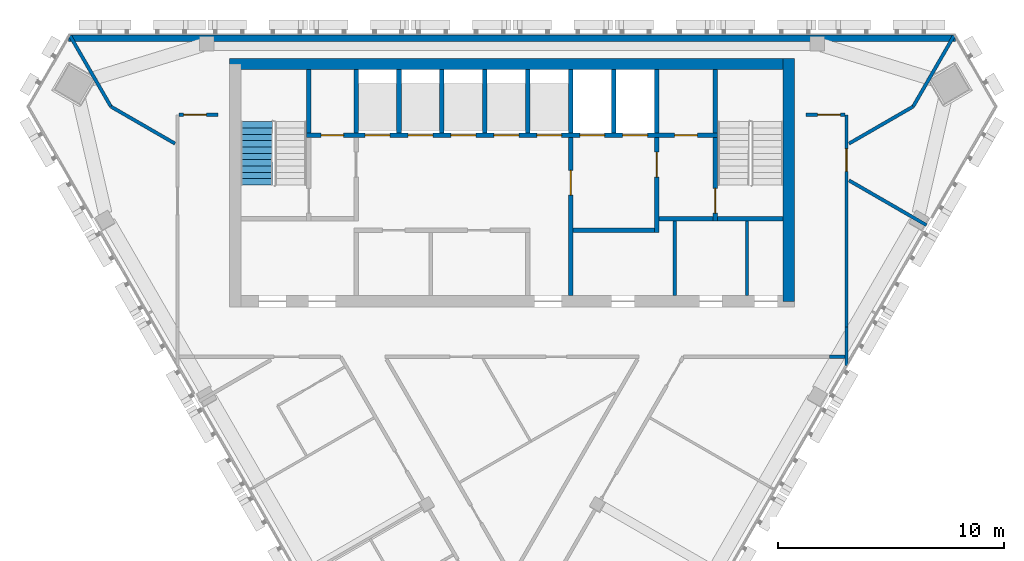
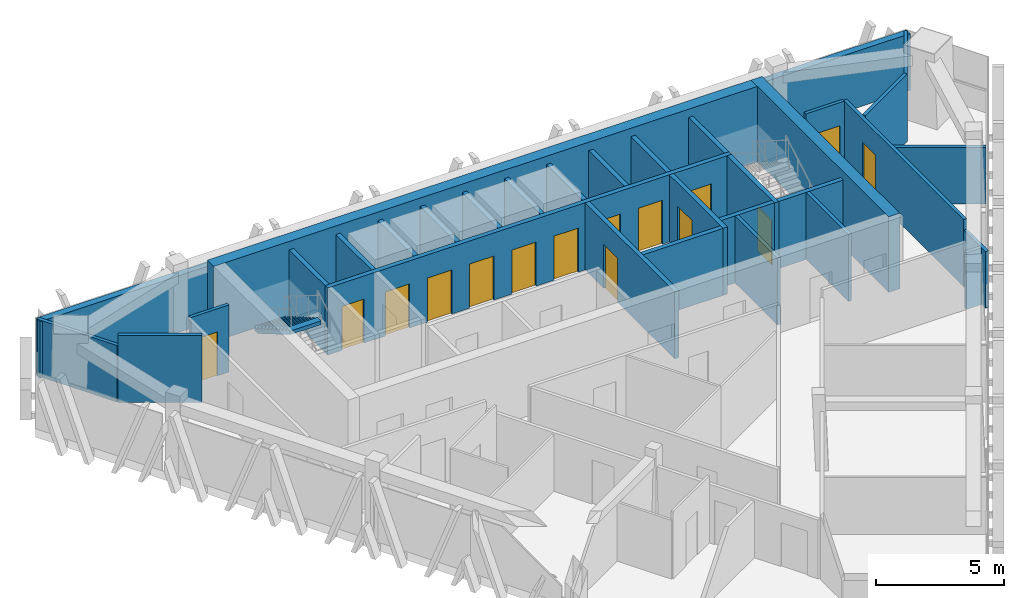
# One storey, part 7 of 10: 32 walls, 15 doors, 1 stair flight, 15 openings, 1 element without a shape of its own.
"""IFC4 building model written with IfcOpenShell, lengths in metres."""

from ifc_helpers import new_model, si_unit, direction, frame, frame_2d, origin, place, context, subcontext, project, spatial, polyline, rectangle, outline, extrude, material, layer, layer_set, type_object, element, fill, aggregate, save


model = new_model("IFC4")

# Units and contexts
model_context = context("Model", 3, precision=1e-05, world=origin(), true_north=direction((0.0, 1.0)))
body_context = subcontext(model_context, "Body", "Model", "MODEL_VIEW")
ifc_project = project(units=[si_unit("LENGTHUNIT", "METRE"), si_unit("AREAUNIT", "SQUARE_METRE"), si_unit("VOLUMEUNIT", "CUBIC_METRE"), si_unit("PLANEANGLEUNIT", "RADIAN"), si_unit("MASSUNIT", "GRAM", prefix="KILO")], contexts=[model_context])

# Site, building, storey
site_placement = place(None, origin())
site = spatial("IfcSite", under=ifc_project, at=site_placement, CompositionType="ELEMENT")
building_placement = place(site_placement, origin())
building = spatial("IfcBuilding", under=site, at=building_placement, Name="Altiplano Prism Tower", CompositionType="ELEMENT")
storey_placement = place(building_placement, frame((0.0, 0.0, 320.199951171875)))
storey = spatial("IfcBuildingStorey", under=building, at=storey_placement, Name="L83", CompositionType="ELEMENT", Elevation=320.199951171875)

# Walls
ifc_material_1 = material(Name="Concrete C60/75", Category="concrete")
ifc_layer_1 = layer(ifc_material_1, 0.5)
ifc_layer_set_1 = layer_set([ifc_layer_1], Name="Concrete C60/75")
wall_type_1 = type_object("IfcWallType", Name="Core wall 500", PredefinedType="SHEAR", material=ifc_layer_set_1)
wall_1_placement = place(storey_placement, frame((97.25, 93.14990234375, 0.0), z_axis=(0.0, 0.0, 1.0), x_axis=(0.0, 1.0, 0.0)))
element("IfcWall", 1, at=wall_1_placement, inside=storey, type_object=wall_type_1, Name="Core wall E L83", PredefinedType="SHEAR", context=body_context, shape_type="SweptSolid", body=[
    extrude(rectangle(XDim=10.75, YDim=0.5, at=frame_2d((5.375, 0.0))), origin(), (0.0, 0.0, 1.0), 3.60009765625),
])
wall_2_placement = place(storey_placement, frame((97.25, 103.64990234375, 0.0), z_axis=(0.0, 0.0, 1.0), x_axis=(-1.0, 0.0, 0.0)))
element("IfcWall", 2, at=wall_2_placement, inside=storey, type_object=wall_type_1, Name="Core wall N L83", PredefinedType="SHEAR", context=body_context, shape_type="SweptSolid", body=[
    extrude(rectangle(XDim=24.75, YDim=0.5, at=frame_2d((12.375, 0.0))), origin(), (0.0, 0.0, 1.0), 3.60009765625),
])
ifc_material_2 = material(Name="Plasterboard on steel stud", Category="steel")
ifc_layer_2 = layer(ifc_material_2, 0.14990234375)
ifc_layer_set_2 = layer_set([ifc_layer_2], Name="Plasterboard on steel stud")
wall_type_2 = type_object("IfcWallType", Name="Partition 150 corridor", PredefinedType="PARTITIONING", material=ifc_layer_set_2)
wall_3_placement = place(storey_placement, frame((99.038330078125, 90.699951171875, 0.0), z_axis=(0.0, 0.0, 1.0), x_axis=(1.0, 0.0, 0.0)))
element("IfcWall", 3, at=wall_3_placement, inside=storey, type_object=wall_type_2, Name="Partition P06 L83 011", PredefinedType="PARTITIONING", context=body_context, shape_type="SweptSolid", body=[
    extrude(rectangle(XDim=0.686767578125, YDim=0.14990234375, at=frame_2d((0.34326171875, 0.0))), origin(), (0.0, 0.0, 1.0), 2.699951171875),
])
wall_4_placement = place(storey_placement, frame((99.800048828125, 90.322021484375, 0.0), z_axis=(0.0, 0.0, 1.0), x_axis=(0.0, 1.0, 0.0)))
element("IfcWall", 4, at=wall_4_placement, inside=storey, type_object=wall_type_2, Name="Partition P06 L83 012", PredefinedType="PARTITIONING", context=body_context, shape_type="SweptSolid", body=[
    extrude(rectangle(XDim=1.697265625, YDim=0.14990234375, at=frame_2d((0.8486328125, 0.0))), origin(), (0.0, 0.0, 1.0), 2.699951171875),
])

# Wall, opening, door
wall_5_placement = place(storey_placement, frame((99.800048828125, 92.019287109375, 0.0), z_axis=(0.0, 0.0, 1.0), x_axis=(5.2046738e-05, 0.999999998646, 0.0)))
wall_5 = element("IfcWall", 5, at=wall_5_placement, inside=storey, type_object=wall_type_2, Name="Partition P06 L83 013", PredefinedType="PARTITIONING", context=body_context, shape_type="SweptSolid", body=[
    extrude(rectangle(XDim=9.381591796875, YDim=0.14990234375, at=frame_2d((4.69091796875, 0.0))), origin(), (0.0, 0.0, 1.0), 3.199951171875),
])
opening_1_placement = place(wall_5_placement, frame((6.87890625, 0.0, 0.0)))
opening_1 = element("IfcOpeningElement", 6, at=opening_1_placement, cuts=wall_5, Name="Opening D2437", PredefinedType="OPENING", context=body_context, shape_type="SweptSolid", body=[
    extrude(rectangle(XDim=1.0, YDim=2.10009765625, at=frame_2d((0.5, 1.050048828125))), frame((0.0, 0.08544921875, 0.0), z_axis=(0.0, -1.0, 0.0), x_axis=(1.0, 0.0, 0.0)), (0.0, 0.0, 1.0), 0.1708984375),
])
ifc_material_3 = material(Name="Timber", Category="wood")
door_type_1 = type_object("IfcDoorType", Name="Room door 1000 x 2100", OperationType="NOTDEFINED", PredefinedType="NOTDEFINED", material=ifc_material_3)
door_1_placement = place(opening_1_placement, origin())
door_1 = element("IfcDoor", 7, at=door_1_placement, inside=storey, type_object=door_type_1, Name="Door D2437", OperationType="SINGLE_SWING_LEFT", OverallHeight=2.10009765625, OverallWidth=1.0, PredefinedType="NOTDEFINED", context=body_context, shape_type="SweptSolid", body=[
    extrude(rectangle(XDim=1.0, YDim=2.10009765625, at=frame_2d((0.5, 1.050048828125))), frame((0.0, 0.02490234375, 0.0), z_axis=(0.0, -1.0, 0.0), x_axis=(1.0, 0.0, 0.0)), (0.0, 0.0, 1.0), 0.050048828125),
])
fill(opening_1, door_1)

wall_6_placement = place(storey_placement, frame((99.7255859375, 101.40087890625, 0.0), z_axis=(0.0, 0.0, 1.0), x_axis=(-1.0, 0.0, 0.0)))
wall_6 = element("IfcWall", 8, at=wall_6_placement, inside=storey, type_object=wall_type_2, Name="Partition P06 L83 014", PredefinedType="PARTITIONING", context=body_context, shape_type="SweptSolid", body=[
    extrude(rectangle(XDim=1.7255859375, YDim=0.14990234375, at=frame_2d((0.86279296875, 0.0))), origin(), (0.0, 0.0, 1.0), 3.199951171875),
])
opening_2_placement = place(wall_6_placement, frame((0.199951171875, 0.0, 0.0)))
opening_2 = element("IfcOpeningElement", 9, at=opening_2_placement, cuts=wall_6, Name="Opening D2438", PredefinedType="OPENING", context=body_context, shape_type="SweptSolid", body=[
    extrude(rectangle(XDim=1.0, YDim=2.10009765625, at=frame_2d((0.5, 1.050048828125))), frame((0.0, 0.08544921875, 0.0), z_axis=(0.0, -1.0, 0.0), x_axis=(1.0, 0.0, 0.0)), (0.0, 0.0, 1.0), 0.1708984375),
])
door_type_2 = type_object("IfcDoorType", Name="Store door 1000 x 2100", OperationType="NOTDEFINED", PredefinedType="NOTDEFINED", material=ifc_material_3)
door_2_placement = place(opening_2_placement, origin())
door_2 = element("IfcDoor", 10, at=door_2_placement, inside=storey, type_object=door_type_2, Name="Door D2438", OperationType="SINGLE_SWING_LEFT", OverallHeight=2.10009765625, OverallWidth=1.0, PredefinedType="NOTDEFINED", context=body_context, shape_type="SweptSolid", body=[
    extrude(rectangle(XDim=1.0, YDim=2.10009765625, at=frame_2d((0.5, 1.050048828125))), frame((0.0, 0.02490234375, 0.0), z_axis=(0.0, -1.0, 0.0), x_axis=(1.0, 0.0, 0.0)), (0.0, 0.0, 1.0), 0.050048828125),
])
fill(opening_2, door_2)

wall_7_placement = place(storey_placement, frame((72.0, 101.40087890625, 0.0), z_axis=(0.0, 0.0, 1.0), x_axis=(-1.0, 0.0, 0.0)))
wall_7 = element("IfcWall", 11, at=wall_7_placement, inside=storey, type_object=wall_type_2, Name="Partition P06 L83 015", PredefinedType="PARTITIONING", context=body_context, shape_type="SweptSolid", body=[
    extrude(rectangle(XDim=1.7255859375, YDim=0.14990234375, at=frame_2d((0.86279296875, 0.0))), origin(), (0.0, 0.0, 1.0), 3.199951171875),
])
opening_3_placement = place(wall_7_placement, frame((0.52587890625, 0.0, 0.0)))
opening_3 = element("IfcOpeningElement", 12, at=opening_3_placement, cuts=wall_7, Name="Opening D2439", PredefinedType="OPENING", context=body_context, shape_type="SweptSolid", body=[
    extrude(rectangle(XDim=1.0, YDim=2.10009765625, at=frame_2d((0.5, 1.050048828125))), frame((0.0, 0.08544921875, 0.0), z_axis=(0.0, -1.0, 0.0), x_axis=(1.0, 0.0, 0.0)), (0.0, 0.0, 1.0), 0.1708984375),
])
door_3_placement = place(opening_3_placement, origin())
door_3 = element("IfcDoor", 13, at=door_3_placement, inside=storey, type_object=door_type_2, Name="Door D2439", OperationType="SINGLE_SWING_RIGHT", OverallHeight=2.10009765625, OverallWidth=1.0, PredefinedType="NOTDEFINED", context=body_context, shape_type="SweptSolid", body=[
    extrude(rectangle(XDim=1.0, YDim=2.10009765625, at=frame_2d((0.5, 1.050048828125))), frame((0.0, 0.02490234375, 0.0), z_axis=(0.0, -1.0, 0.0), x_axis=(1.0, 0.0, 0.0)), (0.0, 0.0, 1.0), 0.050048828125),
])
fill(opening_3, door_3)

# Walls
ifc_layer_3 = layer(ifc_material_2, 0.14990234375)
ifc_layer_set_3 = layer_set([ifc_layer_3], Name="Plasterboard on steel stud")
wall_type_3 = type_object("IfcWallType", Name="Partition 150 party", PredefinedType="PARTITIONING", material=ifc_layer_set_3)
wall_8_placement = place(storey_placement, frame((70.0869140625, 100.132568359375, 0.0), z_axis=(0.0, 0.0, 1.0), x_axis=(-0.866035243948, 0.499982955949, 0.0)))
element("IfcWall", 14, at=wall_8_placement, inside=storey, type_object=wall_type_3, Name="Partition P01 L83 020", PredefinedType="PARTITIONING", context=body_context, shape_type="SweptSolid", body=[
    extrude(rectangle(XDim=3.27197265625, YDim=0.14990234375, at=frame_2d((1.635986328125, 0.0))), origin(), (0.0, 0.0, 1.0), 3.199951171875),
])
wall_9_placement = place(storey_placement, frame((67.253173828125, 101.7685546875, 0.0), z_axis=(0.0, 0.0, 1.0), x_axis=(-0.499995211755, 0.866028168261, 0.0)))
element("IfcWall", 15, at=wall_9_placement, inside=storey, type_object=wall_type_3, Name="Partition P01 L83 021", PredefinedType="PARTITIONING", context=body_context, shape_type="SweptSolid", body=[
    extrude(rectangle(XDim=3.61572265625, YDim=0.14990234375, at=frame_2d((1.807861328125, 0.0))), origin(), (0.0, 0.0, 1.0), 2.699951171875),
])
wall_10_placement = place(storey_placement, frame((103.335205078125, 96.525146484375, 0.0), z_axis=(0.0, 0.0, 1.0), x_axis=(-0.866033324105, 0.499986281351, 0.0)))
element("IfcWall", 16, at=wall_10_placement, inside=storey, type_object=wall_type_3, Name="Partition P01 L83 033", PredefinedType="PARTITIONING", context=body_context, shape_type="SweptSolid", body=[
    extrude(rectangle(XDim=3.95166015625, YDim=0.14990234375, at=frame_2d((1.975830078125, 0.0))), origin(), (0.0, 0.0, 1.0), 2.699951171875),
])
wall_11_placement = place(storey_placement, frame((104.5546875, 104.89990234375, 0.0), z_axis=(0.0, 0.0, 1.0), x_axis=(-0.499995211755, -0.866028168261, 0.0)))
element("IfcWall", 17, at=wall_11_placement, inside=storey, type_object=wall_type_3, Name="Partition P01 L83 034", PredefinedType="PARTITIONING", context=body_context, shape_type="SweptSolid", body=[
    extrude(rectangle(XDim=3.61572265625, YDim=0.14990234375, at=frame_2d((1.807861328125, 0.0))), origin(), (0.0, 0.0, 1.0), 2.699951171875),
])
wall_12_placement = place(storey_placement, frame((102.746826171875, 101.7685546875, 0.0), z_axis=(0.0, 0.0, 1.0), x_axis=(-0.866035243948, -0.499982955949, 0.0)))
element("IfcWall", 18, at=wall_12_placement, inside=storey, type_object=wall_type_3, Name="Partition P01 L83 035", PredefinedType="PARTITIONING", context=body_context, shape_type="SweptSolid", body=[
    extrude(rectangle(XDim=3.27197265625, YDim=0.14990234375, at=frame_2d((1.635986328125, 0.0))), origin(), (0.0, 0.0, 1.0), 3.199951171875),
])
ifc_material_4 = material(Name="Fire-rated gypsum board partition")
ifc_layer_4 = layer(ifc_material_4, 0.14990234375)
ifc_layer_set_4 = layer_set([ifc_layer_4], Name="Fire-rated gypsum board partition")
wall_type_4 = type_object("IfcWallType", Name="Room partition 150", PredefinedType="PARTITIONING", material=ifc_layer_set_4)
for number, where, z_axis, x_axis, name in (
    (19, (92.199951171875, 93.39990234375, 0.0), (0.0, 0.0, 1.0), (0.0, 1.0, 0.0), "Room partition L83"),
    (20, (95.39990234375, 93.39990234375, 0.0), (0.0, 0.0, 1.0), (0.0, 1.0, 0.0), "Room partition L83"),
):
    element("IfcWall", number, at=place(storey_placement, frame(where, z_axis=z_axis, x_axis=x_axis)), inside=storey, type_object=wall_type_4, Name=name, PredefinedType="PARTITIONING", context=body_context, shape_type="SweptSolid", body=[
        extrude(rectangle(XDim=3.300048828125, YDim=0.14990234375, at=frame_2d((1.64990234375, 0.0))), origin(), (0.0, 0.0, 1.0), 3.199951171875),
    ])
ifc_layer_5 = layer(ifc_material_1, 0.199951171875)
ifc_layer_set_5 = layer_set([ifc_layer_5], Name="Concrete C60/75")
wall_type_5 = type_object("IfcWallType", Name="Shaft wall 200", PredefinedType="SOLIDWALL", material=ifc_layer_set_5)
for number, where, z_axis, x_axis, name in (
    (21, (78.10009765625, 100.60009765625, 0.0), (0.0, 0.0, 1.0), (0.0, 1.0, 0.0), "Shaft wall L83"),
    (22, (80.0, 100.60009765625, 0.0), (0.0, 0.0, 1.0), (0.0, 1.0, 0.0), "Shaft wall L83"),
    (23, (81.89990234375, 100.60009765625, 0.0), (0.0, 0.0, 1.0), (0.0, 1.0, 0.0), "Shaft wall L83"),
    (24, (83.800048828125, 100.60009765625, 0.0), (0.0, 0.0, 1.0), (0.0, 1.0, 0.0), "Shaft wall L83"),
    (25, (85.699951171875, 100.60009765625, 0.0), (0.0, 0.0, 1.0), (0.0, 1.0, 0.0), "Shaft wall L83"),
    (26, (87.60009765625, 100.60009765625, 0.0), (0.0, 0.0, 1.0), (0.0, 1.0, 0.0), "Shaft wall L83"),
    (27, (89.5, 100.60009765625, 0.0), (0.0, 0.0, 1.0), (0.0, 1.0, 0.0), "Shaft wall L83"),
    (28, (91.39990234375, 100.60009765625, 0.0), (0.0, 0.0, 1.0), (0.0, 1.0, 0.0), "Shaft wall L83"),
):
    element("IfcWall", number, at=place(storey_placement, frame(where, z_axis=z_axis, x_axis=x_axis)), inside=storey, type_object=wall_type_5, Name=name, PredefinedType="SOLIDWALL", context=body_context, shape_type="SweptSolid", body=[
        extrude(rectangle(XDim=2.7998046875, YDim=0.199951171875, at=frame_2d((1.39990234375, 0.0))), origin(), (0.0, 0.0, 1.0), 3.199951171875),
    ])

# Wall, opening, door
ifc_layer_6 = layer(ifc_material_1, 0.199951171875)
ifc_layer_set_6 = layer_set([ifc_layer_6], Name="Concrete C60/75")
wall_type_6 = type_object("IfcWallType", Name="Stair wall 200", PredefinedType="SOLIDWALL", material=ifc_layer_set_6)
wall_13_placement = place(storey_placement, frame((94.0, 96.699951171875, 0.0), z_axis=(0.0, 0.0, 1.0), x_axis=(0.0, 1.0, 0.0)))
wall_13 = element("IfcWall", 29, at=wall_13_placement, inside=storey, type_object=wall_type_6, Name="Stair wall L83", PredefinedType="SOLIDWALL", context=body_context, shape_type="SweptSolid", body=[
    extrude(rectangle(XDim=3.699951171875, YDim=0.199951171875, at=frame_2d((1.85009765625, 0.0))), origin(), (0.0, 0.0, 1.0), 3.199951171875),
])
opening_4_placement = place(wall_13_placement, frame((0.35009765625, 0.0, 0.0)))
opening_4 = element("IfcOpeningElement", 30, at=opening_4_placement, cuts=wall_13, Name="Opening D3754", PredefinedType="OPENING", context=body_context, shape_type="SweptSolid", body=[
    extrude(rectangle(XDim=1.10009765625, YDim=2.10009765625, at=frame_2d((0.550048828125, 1.050048828125))), frame((0.0, 0.1103515625, 0.0), z_axis=(0.0, -1.0, 0.0), x_axis=(1.0, 0.0, 0.0)), (0.0, 0.0, 1.0), 0.220947265625),
])
ifc_material_5 = material(Name="Fire-rated steel door", Category="steel")
door_type_3 = type_object("IfcDoorType", Name="Stair fire door 1100 x 2100", OperationType="NOTDEFINED", PredefinedType="NOTDEFINED", material=ifc_material_5)
door_4_placement = place(opening_4_placement, origin())
door_4 = element("IfcDoor", 31, at=door_4_placement, inside=storey, type_object=door_type_3, Name="Stair fire door D3754", OperationType="SINGLE_SWING_LEFT", OverallHeight=2.10009765625, OverallWidth=1.10009765625, PredefinedType="NOTDEFINED", context=body_context, shape_type="SweptSolid", body=[
    extrude(rectangle(XDim=1.10009765625, YDim=2.10009765625, at=frame_2d((0.550048828125, 1.050048828125))), frame((0.0, 0.02490234375, 0.0), z_axis=(0.0, -1.0, 0.0), x_axis=(1.0, 0.0, 0.0)), (0.0, 0.0, 1.0), 0.050048828125),
])
fill(opening_4, door_4)

# Wall
wall_14_placement = place(storey_placement, frame((94.10009765625, 96.800048828125, 0.0), z_axis=(0.0, 0.0, 1.0), x_axis=(1.0, 0.0, 0.0)))
element("IfcWall", 32, at=wall_14_placement, inside=storey, type_object=wall_type_6, Name="Stair wall L83", PredefinedType="SOLIDWALL", context=body_context, shape_type="SweptSolid", body=[
    extrude(rectangle(XDim=2.89990234375, YDim=0.199951171875, at=frame_2d((1.449951171875, 0.0))), origin(), (0.0, 0.0, 1.0), 3.199951171875),
])

# Wall, openings, doors
wall_15_placement = place(storey_placement, frame((75.89990234375, 100.5, 0.0), z_axis=(0.0, 0.0, 1.0), x_axis=(1.0, 0.0, 0.0)))
wall_15 = element("IfcWall", 33, at=wall_15_placement, inside=storey, type_object=wall_type_6, Name="Stair wall L83", PredefinedType="SOLIDWALL", context=body_context, shape_type="SweptSolid", body=[
    extrude(rectangle(XDim=18.2001953125, YDim=0.199951171875, at=frame_2d((9.10009765625, 0.0))), origin(), (0.0, 0.0, 1.0), 3.199951171875),
])
opening_5_placement = place(wall_15_placement, frame((2.60009765625, 0.0, 0.0)))
opening_5 = element("IfcOpeningElement", 34, at=opening_5_placement, cuts=wall_15, Name="Opening LD-HL1-L83", PredefinedType="OPENING", context=body_context, shape_type="SweptSolid", body=[
    extrude(rectangle(XDim=1.10009765625, YDim=2.10009765625, at=frame_2d((0.550048828125, 1.050048828125))), frame((0.0, 0.1103515625, 0.0), z_axis=(0.0, -1.0, 0.0), x_axis=(1.0, 0.0, 0.0)), (0.0, 0.0, 1.0), 0.220947265625),
])
opening_6_placement = place(wall_15_placement, frame((4.5, 0.0, 0.0)))
opening_6 = element("IfcOpeningElement", 35, at=opening_6_placement, cuts=wall_15, Name="Opening LD-HL2-L83", PredefinedType="OPENING", context=body_context, shape_type="SweptSolid", body=[
    extrude(rectangle(XDim=1.10009765625, YDim=2.10009765625, at=frame_2d((0.550048828125, 1.050048828125))), frame((0.0, 0.1103515625, 0.0), z_axis=(0.0, -1.0, 0.0), x_axis=(1.0, 0.0, 0.0)), (0.0, 0.0, 1.0), 0.220947265625),
])
opening_7_placement = place(wall_15_placement, frame((6.39990234375, 0.0, 0.0)))
opening_7 = element("IfcOpeningElement", 36, at=opening_7_placement, cuts=wall_15, Name="Opening LD-HL3-L83", PredefinedType="OPENING", context=body_context, shape_type="SweptSolid", body=[
    extrude(rectangle(XDim=1.10009765625, YDim=2.10009765625, at=frame_2d((0.550048828125, 1.050048828125))), frame((0.0, 0.1103515625, 0.0), z_axis=(0.0, -1.0, 0.0), x_axis=(1.0, 0.0, 0.0)), (0.0, 0.0, 1.0), 0.220947265625),
])
opening_8_placement = place(wall_15_placement, frame((8.300048828125, 0.0, 0.0)))
opening_8 = element("IfcOpeningElement", 37, at=opening_8_placement, cuts=wall_15, Name="Opening LD-HL4-L83", PredefinedType="OPENING", context=body_context, shape_type="SweptSolid", body=[
    extrude(rectangle(XDim=1.10009765625, YDim=2.10009765625, at=frame_2d((0.550048828125, 1.050048828125))), frame((0.0, 0.1103515625, 0.0), z_axis=(0.0, -1.0, 0.0), x_axis=(1.0, 0.0, 0.0)), (0.0, 0.0, 1.0), 0.220947265625),
])
opening_9_placement = place(wall_15_placement, frame((10.199951171875, 0.0, 0.0)))
opening_9 = element("IfcOpeningElement", 38, at=opening_9_placement, cuts=wall_15, Name="Opening LD-HL5-L83", PredefinedType="OPENING", context=body_context, shape_type="SweptSolid", body=[
    extrude(rectangle(XDim=1.10009765625, YDim=2.10009765625, at=frame_2d((0.550048828125, 1.050048828125))), frame((0.0, 0.1103515625, 0.0), z_axis=(0.0, -1.0, 0.0), x_axis=(1.0, 0.0, 0.0)), (0.0, 0.0, 1.0), 0.220947265625),
])
opening_10_placement = place(wall_15_placement, frame((12.10009765625, 0.0, 0.0)))
opening_10 = element("IfcOpeningElement", 39, at=opening_10_placement, cuts=wall_15, Name="Opening LD-FF1-L83", PredefinedType="OPENING", context=body_context, shape_type="SweptSolid", body=[
    extrude(rectangle(XDim=1.10009765625, YDim=2.10009765625, at=frame_2d((0.550048828125, 1.050048828125))), frame((0.0, 0.1103515625, 0.0), z_axis=(0.0, -1.0, 0.0), x_axis=(1.0, 0.0, 0.0)), (0.0, 0.0, 1.0), 0.220947265625),
])
opening_11_placement = place(wall_15_placement, frame((14.0, 0.0, 0.0)))
opening_11 = element("IfcOpeningElement", 40, at=opening_11_placement, cuts=wall_15, Name="Opening LD-FF2-L83", PredefinedType="OPENING", context=body_context, shape_type="SweptSolid", body=[
    extrude(rectangle(XDim=1.10009765625, YDim=2.10009765625, at=frame_2d((0.550048828125, 1.050048828125))), frame((0.0, 0.1103515625, 0.0), z_axis=(0.0, -1.0, 0.0), x_axis=(1.0, 0.0, 0.0)), (0.0, 0.0, 1.0), 0.220947265625),
])
opening_12_placement = place(wall_15_placement, frame((0.64990234375, 0.0, 0.0)))
opening_12 = element("IfcOpeningElement", 41, at=opening_12_placement, cuts=wall_15, Name="Opening D3761", PredefinedType="OPENING", context=body_context, shape_type="SweptSolid", body=[
    extrude(rectangle(XDim=1.0, YDim=2.10009765625, at=frame_2d((0.5, 1.050048828125))), frame((0.0, 0.1103515625, 0.0), z_axis=(0.0, -1.0, 0.0), x_axis=(1.0, 0.0, 0.0)), (0.0, 0.0, 1.0), 0.220947265625),
])
opening_13_placement = place(wall_15_placement, frame((16.300048828125, 0.0, 0.0)))
opening_13 = element("IfcOpeningElement", 42, at=opening_13_placement, cuts=wall_15, Name="Opening D3762", PredefinedType="OPENING", context=body_context, shape_type="SweptSolid", body=[
    extrude(rectangle(XDim=1.0, YDim=2.10009765625, at=frame_2d((0.5, 1.050048828125))), frame((0.0, 0.1103515625, 0.0), z_axis=(0.0, -1.0, 0.0), x_axis=(1.0, 0.0, 0.0)), (0.0, 0.0, 1.0), 0.220947265625),
])
door_type_4 = type_object("IfcDoorType", Name="Core room door 1000 x 2100", OperationType="NOTDEFINED", PredefinedType="NOTDEFINED", material=ifc_material_5)
door_5_placement = place(opening_12_placement, origin())
door_5 = element("IfcDoor", 43, at=door_5_placement, inside=storey, type_object=door_type_4, Name="Core room door D3761", OperationType="SINGLE_SWING_LEFT", OverallHeight=2.10009765625, OverallWidth=1.0, PredefinedType="NOTDEFINED", context=body_context, shape_type="SweptSolid", body=[
    extrude(rectangle(XDim=1.0, YDim=2.10009765625, at=frame_2d((0.5, 1.050048828125))), frame((0.0, 0.02490234375, 0.0), z_axis=(0.0, -1.0, 0.0), x_axis=(1.0, 0.0, 0.0)), (0.0, 0.0, 1.0), 0.050048828125),
])
fill(opening_12, door_5)
door_6_placement = place(opening_13_placement, origin())
door_6 = element("IfcDoor", 44, at=door_6_placement, inside=storey, type_object=door_type_4, Name="Core room door D3762", OperationType="SINGLE_SWING_RIGHT", OverallHeight=2.10009765625, OverallWidth=1.0, PredefinedType="NOTDEFINED", context=body_context, shape_type="SweptSolid", body=[
    extrude(rectangle(XDim=1.0, YDim=2.10009765625, at=frame_2d((0.5, 1.050048828125))), frame((0.0, 0.02490234375, 0.0), z_axis=(0.0, -1.0, 0.0), x_axis=(1.0, 0.0, 0.0)), (0.0, 0.0, 1.0), 0.050048828125),
])
fill(opening_13, door_6)
ifc_material_6 = material(Name="Stainless steel landing door", Category="steel")
door_type_5 = type_object("IfcDoorType", Name="Landing door 1100 x 2100", OperationType="NOTDEFINED", PredefinedType="NOTDEFINED", material=ifc_material_6)
door_7_placement = place(opening_5_placement, origin())
door_7 = element("IfcDoor", 45, at=door_7_placement, inside=storey, type_object=door_type_5, Name="Landing doors HL1", OperationType="SLIDING_TO_RIGHT", OverallHeight=2.10009765625, OverallWidth=1.10009765625, PredefinedType="NOTDEFINED", context=body_context, shape_type="SweptSolid", body=[
    extrude(rectangle(XDim=1.10009765625, YDim=2.10009765625, at=frame_2d((0.550048828125, 1.050048828125))), frame((0.0, 0.02490234375, 0.0), z_axis=(0.0, -1.0, 0.0), x_axis=(1.0, 0.0, 0.0)), (0.0, 0.0, 1.0), 0.050048828125),
])
fill(opening_5, door_7)
door_8_placement = place(opening_6_placement, origin())
door_8 = element("IfcDoor", 46, at=door_8_placement, inside=storey, type_object=door_type_5, Name="Landing doors HL2", OperationType="SLIDING_TO_LEFT", OverallHeight=2.10009765625, OverallWidth=1.10009765625, PredefinedType="NOTDEFINED", context=body_context, shape_type="SweptSolid", body=[
    extrude(rectangle(XDim=1.10009765625, YDim=2.10009765625, at=frame_2d((0.550048828125, 1.050048828125))), frame((0.0, 0.02490234375, 0.0), z_axis=(0.0, -1.0, 0.0), x_axis=(1.0, 0.0, 0.0)), (0.0, 0.0, 1.0), 0.050048828125),
])
fill(opening_6, door_8)
door_9_placement = place(opening_7_placement, origin())
door_9 = element("IfcDoor", 47, at=door_9_placement, inside=storey, type_object=door_type_5, Name="Landing doors HL3", OperationType="SLIDING_TO_RIGHT", OverallHeight=2.10009765625, OverallWidth=1.10009765625, PredefinedType="NOTDEFINED", context=body_context, shape_type="SweptSolid", body=[
    extrude(rectangle(XDim=1.10009765625, YDim=2.10009765625, at=frame_2d((0.550048828125, 1.050048828125))), frame((0.0, 0.02490234375, 0.0), z_axis=(0.0, -1.0, 0.0), x_axis=(1.0, 0.0, 0.0)), (0.0, 0.0, 1.0), 0.050048828125),
])
fill(opening_7, door_9)
door_10_placement = place(opening_8_placement, origin())
door_10 = element("IfcDoor", 48, at=door_10_placement, inside=storey, type_object=door_type_5, Name="Landing doors HL4", OperationType="SLIDING_TO_LEFT", OverallHeight=2.10009765625, OverallWidth=1.10009765625, PredefinedType="NOTDEFINED", context=body_context, shape_type="SweptSolid", body=[
    extrude(rectangle(XDim=1.10009765625, YDim=2.10009765625, at=frame_2d((0.550048828125, 1.050048828125))), frame((0.0, 0.02490234375, 0.0), z_axis=(0.0, -1.0, 0.0), x_axis=(1.0, 0.0, 0.0)), (0.0, 0.0, 1.0), 0.050048828125),
])
fill(opening_8, door_10)
door_11_placement = place(opening_9_placement, origin())
door_11 = element("IfcDoor", 49, at=door_11_placement, inside=storey, type_object=door_type_5, Name="Landing doors HL5", OperationType="SLIDING_TO_RIGHT", OverallHeight=2.10009765625, OverallWidth=1.10009765625, PredefinedType="NOTDEFINED", context=body_context, shape_type="SweptSolid", body=[
    extrude(rectangle(XDim=1.10009765625, YDim=2.10009765625, at=frame_2d((0.550048828125, 1.050048828125))), frame((0.0, 0.02490234375, 0.0), z_axis=(0.0, -1.0, 0.0), x_axis=(1.0, 0.0, 0.0)), (0.0, 0.0, 1.0), 0.050048828125),
])
fill(opening_9, door_11)
door_12_placement = place(opening_10_placement, origin())
door_12 = element("IfcDoor", 50, at=door_12_placement, inside=storey, type_object=door_type_5, Name="Landing doors FF1", OperationType="SLIDING_TO_RIGHT", OverallHeight=2.10009765625, OverallWidth=1.10009765625, PredefinedType="NOTDEFINED", context=body_context, shape_type="SweptSolid", body=[
    extrude(rectangle(XDim=1.10009765625, YDim=2.10009765625, at=frame_2d((0.550048828125, 1.050048828125))), frame((0.0, 0.02490234375, 0.0), z_axis=(0.0, -1.0, 0.0), x_axis=(1.0, 0.0, 0.0)), (0.0, 0.0, 1.0), 0.050048828125),
])
fill(opening_10, door_12)
door_13_placement = place(opening_11_placement, origin())
door_13 = element("IfcDoor", 51, at=door_13_placement, inside=storey, type_object=door_type_5, Name="Landing doors FF2", OperationType="SLIDING_TO_LEFT", OverallHeight=2.10009765625, OverallWidth=1.10009765625, PredefinedType="NOTDEFINED", context=body_context, shape_type="SweptSolid", body=[
    extrude(rectangle(XDim=1.10009765625, YDim=2.10009765625, at=frame_2d((0.550048828125, 1.050048828125))), frame((0.0, 0.02490234375, 0.0), z_axis=(0.0, -1.0, 0.0), x_axis=(1.0, 0.0, 0.0)), (0.0, 0.0, 1.0), 0.050048828125),
])
fill(opening_11, door_13)

# Walls
for number, where, z_axis, x_axis, name in (
    (52, (76.0, 100.60009765625, 0.0), (0.0, 0.0, 1.0), (0.0, 1.0, 0.0), "Stair wall L83"),
    (53, (94.0, 100.60009765625, 0.0), (0.0, 0.0, 1.0), (0.0, 1.0, 0.0), "Stair wall L83"),
):
    element("IfcWall", number, at=place(storey_placement, frame(where, z_axis=z_axis, x_axis=x_axis)), inside=storey, type_object=wall_type_6, Name=name, PredefinedType="SOLIDWALL", context=body_context, shape_type="SweptSolid", body=[
        extrude(rectangle(XDim=2.7998046875, YDim=0.199951171875, at=frame_2d((1.39990234375, 0.0))), origin(), (0.0, 0.0, 1.0), 3.199951171875),
    ])
ifc_material_7 = material(Name="Concrete C40", Category="concrete")
ifc_layer_7 = layer(ifc_material_7, 0.300048828125)
ifc_layer_set_7 = layer_set([ifc_layer_7], Name="Concrete C40")
wall_type_7 = type_object("IfcWallType", Name="Stone-clad external wall 300", PredefinedType="SOLIDWALL", material=ifc_layer_set_7)
wall_16_placement = place(storey_placement, frame((65.387451171875, 104.7900390625, 0.0), z_axis=(0.0, 0.0, 1.0), x_axis=(1.0, 0.0, 0.0)))
element("IfcWall", 54, at=wall_16_placement, inside=storey, type_object=wall_type_7, Name="External wall north face L83", PredefinedType="SOLIDWALL", context=body_context, shape_type="SweptSolid", body=[
    extrude(rectangle(XDim=39.22509765625, YDim=0.300048828125, at=frame_2d((19.612548828125, 0.0))), origin(), (0.0, 0.0, 1.0), 2.699951171875),
])

# Wall, opening, door
ifc_layer_8 = layer(ifc_material_1, 0.199951171875)
ifc_layer_set_8 = layer_set([ifc_layer_8], Name="Concrete C60/75")
wall_type_8 = type_object("IfcWallType", Name="Vestibule wall 200", PredefinedType="PARTITIONING", material=ifc_layer_set_8)
wall_17_placement = place(storey_placement, frame((87.60009765625, 93.39990234375, 0.0), z_axis=(0.0, 0.0, 1.0), x_axis=(0.0, 1.0, 0.0)))
wall_17 = element("IfcWall", 55, at=wall_17_placement, inside=storey, type_object=wall_type_8, Name="Vestibule wall L83", PredefinedType="PARTITIONING", context=body_context, shape_type="SweptSolid", body=[
    extrude(rectangle(XDim=7.0, YDim=0.199951171875, at=frame_2d((3.5, 0.0))), origin(), (0.0, 0.0, 1.0), 3.199951171875),
])
opening_14_placement = place(wall_17_placement, frame((4.449951171875, 0.0, 0.0)))
opening_14 = element("IfcOpeningElement", 56, at=opening_14_placement, cuts=wall_17, Name="Opening D3756", PredefinedType="OPENING", context=body_context, shape_type="SweptSolid", body=[
    extrude(rectangle(XDim=1.10009765625, YDim=2.10009765625, at=frame_2d((0.550048828125, 1.050048828125))), frame((0.0, 0.1103515625, 0.0), z_axis=(0.0, -1.0, 0.0), x_axis=(1.0, 0.0, 0.0)), (0.0, 0.0, 1.0), 0.220947265625),
])
door_type_6 = type_object("IfcDoorType", Name="Vestibule fire door 1100 x 2100", OperationType="NOTDEFINED", PredefinedType="NOTDEFINED", material=ifc_material_5)
door_14_placement = place(opening_14_placement, origin())
door_14 = element("IfcDoor", 57, at=door_14_placement, inside=storey, type_object=door_type_6, Name="Vestibule fire door D3756", OperationType="SINGLE_SWING_RIGHT", OverallHeight=2.10009765625, OverallWidth=1.10009765625, PredefinedType="NOTDEFINED", context=body_context, shape_type="SweptSolid", body=[
    extrude(rectangle(XDim=1.10009765625, YDim=2.10009765625, at=frame_2d((0.550048828125, 1.050048828125))), frame((0.0, 0.02490234375, 0.0), z_axis=(0.0, -1.0, 0.0), x_axis=(1.0, 0.0, 0.0)), (0.0, 0.0, 1.0), 0.050048828125),
])
fill(opening_14, door_14)

# Wall
wall_18_placement = place(storey_placement, frame((87.699951171875, 96.300048828125, 0.0), z_axis=(0.0, 0.0, 1.0), x_axis=(1.0, 0.0, 0.0)))
element("IfcWall", 58, at=wall_18_placement, inside=storey, type_object=wall_type_8, Name="Vestibule wall L83", PredefinedType="PARTITIONING", context=body_context, shape_type="SweptSolid", body=[
    extrude(rectangle(XDim=3.60009765625, YDim=0.199951171875, at=frame_2d((1.800048828125, 0.0))), origin(), (0.0, 0.0, 1.0), 3.199951171875),
])

# Wall, opening, door
wall_19_placement = place(storey_placement, frame((91.39990234375, 96.199951171875, 0.0), z_axis=(0.0, 0.0, 1.0), x_axis=(0.0, 1.0, 0.0)))
wall_19 = element("IfcWall", 59, at=wall_19_placement, inside=storey, type_object=wall_type_8, Name="Vestibule wall L83", PredefinedType="PARTITIONING", context=body_context, shape_type="SweptSolid", body=[
    extrude(rectangle(XDim=4.199951171875, YDim=0.199951171875, at=frame_2d((2.10009765625, 0.0))), origin(), (0.0, 0.0, 1.0), 3.199951171875),
])
opening_15_placement = place(wall_19_placement, frame((2.449951171875, 0.0, 0.0)))
opening_15 = element("IfcOpeningElement", 60, at=opening_15_placement, cuts=wall_19, Name="Opening D3757", PredefinedType="OPENING", context=body_context, shape_type="SweptSolid", body=[
    extrude(rectangle(XDim=1.10009765625, YDim=2.10009765625, at=frame_2d((0.550048828125, 1.050048828125))), frame((0.0, 0.1103515625, 0.0), z_axis=(0.0, -1.0, 0.0), x_axis=(1.0, 0.0, 0.0)), (0.0, 0.0, 1.0), 0.220947265625),
])
door_15_placement = place(opening_15_placement, origin())
door_15 = element("IfcDoor", 61, at=door_15_placement, inside=storey, type_object=door_type_6, Name="Vestibule fire door D3757", OperationType="SINGLE_SWING_LEFT", OverallHeight=2.10009765625, OverallWidth=1.10009765625, PredefinedType="NOTDEFINED", context=body_context, shape_type="SweptSolid", body=[
    extrude(rectangle(XDim=1.10009765625, YDim=2.10009765625, at=frame_2d((0.550048828125, 1.050048828125))), frame((0.0, 0.02490234375, 0.0), z_axis=(0.0, -1.0, 0.0), x_axis=(1.0, 0.0, 0.0)), (0.0, 0.0, 1.0), 0.050048828125),
])
fill(opening_15, door_15)

# Wall
wall_20_placement = place(storey_placement, frame((91.5, 96.800048828125, 0.0), z_axis=(0.0, 0.0, 1.0), x_axis=(1.0, 0.0, 0.0)))
element("IfcWall", 62, at=wall_20_placement, inside=storey, type_object=wall_type_8, Name="Vestibule wall L83", PredefinedType="PARTITIONING", context=body_context, shape_type="SweptSolid", body=[
    extrude(rectangle(XDim=2.39990234375, YDim=0.199951171875, at=frame_2d((1.199951171875, 0.0))), origin(), (0.0, 0.0, 1.0), 3.199951171875),
])

# Stair, stair flight
ifc_material_8 = material(Name="Concrete C40/50", Category="concrete")
stair_type = type_object("IfcStairType", Name="Exit stair 1400", PredefinedType="HALF_TURN_STAIR", material=ifc_material_8)
stair_placement = place(storey_placement, origin())
stair = element("IfcStair", 63, at=stair_placement, inside=storey, type_object=stair_type, Name="L83 Exit Stair 1", PredefinedType="HALF_TURN_STAIR")
stair_flight_type = type_object("IfcStairFlightType", Name="Stair flight concrete 150", PredefinedType="STRAIGHT", material=ifc_material_8)
stair_flight_placement = place(storey_placement, frame((73.699951171875, 101.10009765625, 1.800048828125), z_axis=(0.0, 0.0, 1.0), x_axis=(0.0, -1.0, 0.0)))
stair_flight = element("IfcStairFlight", 64, at=stair_flight_placement, type_object=stair_flight_type, Name="ST1 flight 2", NumberOfRisers=11, NumberOfTreads=10, PredefinedType="STRAIGHT", RiserHeight=0.163636364, TreadLength=0.28, context=body_context, shape_type="SweptSolid", body=[
    extrude(outline(polyline([(0.0, 0.0), (0.0, 0.16357421875), (0.280029296875, 0.16357421875), (0.280029296875, 0.327392578125), (0.56005859375, 0.327392578125), (0.56005859375, 0.490966796875), (0.840087890625, 0.490966796875), (0.840087890625, 0.654541015625), (1.1201171875, 0.654541015625), (1.1201171875, 0.818115234375), (1.39990234375, 0.818115234375), (1.39990234375, 0.98193359375), (1.679931640625, 0.98193359375), (1.679931640625, 1.1455078125), (1.9599609375, 1.1455078125), (1.9599609375, 1.30908203125), (2.239990234375, 1.30908203125), (2.239990234375, 1.47265625), (2.52001953125, 1.47265625), (2.52001953125, 1.636474609375), (2.800048828125, 1.636474609375), (2.800048828125, 1.800048828125), (2.800048828125, 1.462646484375), (0.297119140625, 0.0), (0.0, 0.0)])), frame((0.0, 0.699951171875, 0.0), z_axis=(0.0, -1.0, 0.0), x_axis=(1.0, 0.0, 0.0)), (0.0, 0.0, 1.0), 1.39990234375),
])
aggregate(stair, [stair_flight])

save(model, "model.ifc")
